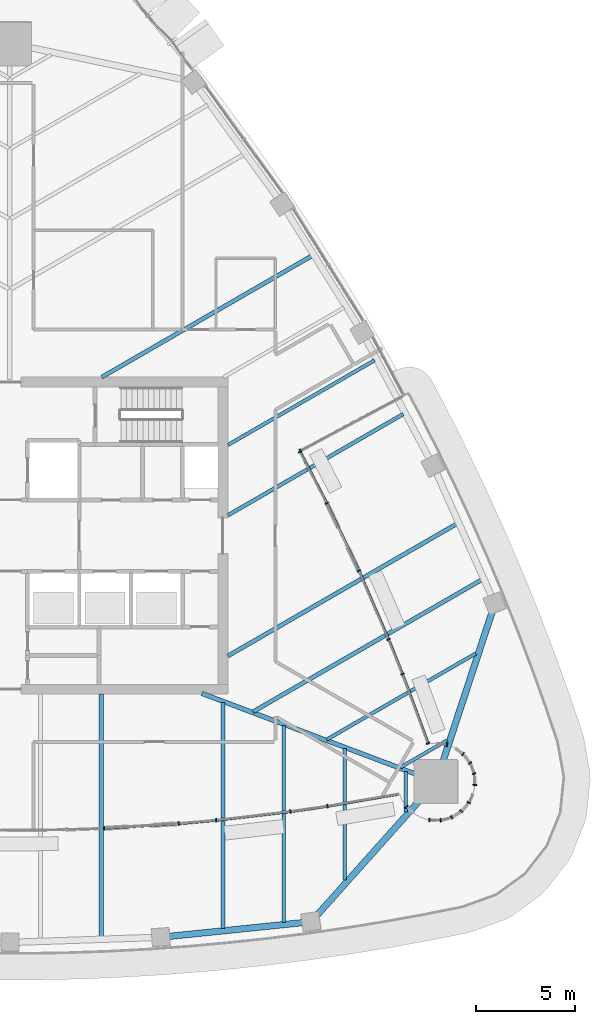
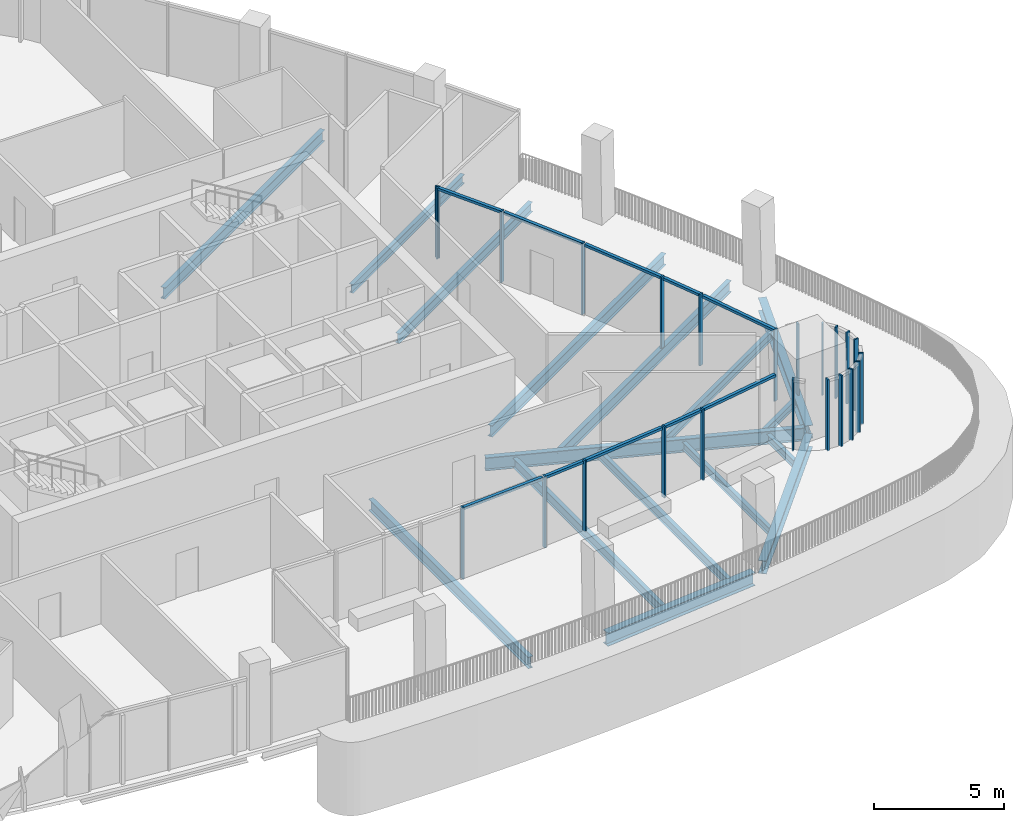
# One storey, part 5 of 21: 33 members, 16 beams, 22 elements without a shape of their own.
"""IFC4 building model written with IfcOpenShell, lengths in metres."""

from ifc_helpers import new_model, si_unit, direction, frame, origin, origin_2d, place, context, subcontext, project, spatial, rectangle, i_section, extrude, material, layer, layer_set, material_profile, profile_set, type_object, element, aggregate, save


model = new_model("IFC4")

# Units and contexts
model_context = context("Model", 3, precision=1e-05, world=origin(), true_north=direction((0.0, 1.0)))
body_context = subcontext(model_context, "Body", "Model", "MODEL_VIEW")
ifc_project = project(units=[si_unit("LENGTHUNIT", "METRE"), si_unit("AREAUNIT", "SQUARE_METRE"), si_unit("VOLUMEUNIT", "CUBIC_METRE"), si_unit("PLANEANGLEUNIT", "RADIAN"), si_unit("MASSUNIT", "GRAM", prefix="KILO")], contexts=[model_context])

# Site, building, storey
site_placement = place(None, origin())
site = spatial("IfcSite", under=ifc_project, at=site_placement, CompositionType="ELEMENT")
building_placement = place(site_placement, origin())
building = spatial("IfcBuilding", under=site, at=building_placement, Name="Sierra Prisma Convention Tower", CompositionType="ELEMENT")
storey_placement = place(building_placement, frame((0.0, 0.0, 259.0)))
storey = spatial("IfcBuildingStorey", under=building, at=storey_placement, Name="L58", CompositionType="ELEMENT", Elevation=259.0)

# Curtain wall, member
ifc_material_1 = material(Name="Aluminium and glass curtain wall", Category="aluminium")
ifc_layer = layer(ifc_material_1, 0.179931640625)
ifc_layer_set = layer_set([ifc_layer], Name="CW-6 Terrace recess curtain wall")
curtain_wall_type = type_object("IfcCurtainWallType", Name="CW-6 Terrace recess curtain wall", PredefinedType="NOTDEFINED", material=ifc_layer_set)
curtain_wall_1_placement = place(storey_placement, origin())
curtain_wall_1 = element("IfcCurtainWall", 1, at=curtain_wall_1_placement, inside=storey, type_object=curtain_wall_type, Name="CW-6 R4 L58", PredefinedType="NOTDEFINED")
ifc_material_2 = material(Name="Aluminium 6063-T6 bronze anodised", Category="aluminium")
ifc_material_profile_1 = material_profile(ifc_material_2, rectangle(XDim=0.179931640625, YDim=0.070068359375, at=origin_2d()), Name="ALU MULLION 70x180")
ifc_profile_set_1 = profile_set([ifc_material_profile_1], Name="Aluminium 6063-T6 bronze anodised")
member_type_1 = type_object("IfcMemberType", Name="CW mullion bronze", PredefinedType="MULLION", material=ifc_profile_set_1)
member_1_placement = place(storey_placement, frame((4.75341796875, -14.76513671875, 0.0), z_axis=(0.0, 0.0, 1.0), x_axis=(-0.062478391496, 0.998046316859, 0.0)))
member_1 = element("IfcMember", 2, at=member_1_placement, type_object=member_type_1, Name="CW-6 mullion R4.1", PredefinedType="MULLION", context=body_context, shape_type="SweptSolid", body=[
    extrude(rectangle(XDim=0.179931640625, YDim=0.070068359375, at=origin_2d()), origin(), (0.0, 0.0, 1.0), 3.340087890625),
])

curtain_wall_2_placement = place(storey_placement, origin())
curtain_wall_2 = element("IfcCurtainWall", 3, at=curtain_wall_2_placement, inside=storey, type_object=curtain_wall_type, Name="CW-6 R5 L58", PredefinedType="NOTDEFINED")
member_2_placement = place(storey_placement, frame((8.521728515625, -14.5283203125, 0.0), z_axis=(0.0, 0.0, 1.0), x_axis=(-0.089194324131, 0.996014243143, 0.0)))
member_2 = element("IfcMember", 4, at=member_2_placement, type_object=member_type_1, Name="CW-6 mullion R5.1", PredefinedType="MULLION", context=body_context, shape_type="SweptSolid", body=[
    extrude(rectangle(XDim=0.179931640625, YDim=0.070068359375, at=origin_2d()), origin(), (0.0, 0.0, 1.0), 3.340087890625),
])

curtain_wall_3_placement = place(storey_placement, origin())
curtain_wall_3 = element("IfcCurtainWall", 5, at=curtain_wall_3_placement, inside=storey, type_object=curtain_wall_type, Name="CW-6 R6 L58", PredefinedType="NOTDEFINED")
member_3_placement = place(storey_placement, frame((10.402099609375, -14.35888671875, 0.0), z_axis=(0.0, 0.0, 1.0), x_axis=(-0.11584622682, 0.993267160301, 0.0)))
member_3 = element("IfcMember", 6, at=member_3_placement, type_object=member_type_1, Name="CW-6 mullion R6.1", PredefinedType="MULLION", context=body_context, shape_type="SweptSolid", body=[
    extrude(rectangle(XDim=0.179931640625, YDim=0.070068359375, at=origin_2d()), origin(), (0.0, 0.0, 1.0), 3.340087890625),
])

curtain_wall_4_placement = place(storey_placement, origin())
curtain_wall_4 = element("IfcCurtainWall", 7, at=curtain_wall_4_placement, inside=storey, type_object=curtain_wall_type, Name="CW-6 R7 L58", PredefinedType="NOTDEFINED")
member_4_placement = place(storey_placement, frame((14.152587890625, -13.92041015625, 0.0), z_axis=(0.0, 0.0, 1.0), x_axis=(-0.142414966917, 0.989807040386, 0.0)))
member_4 = element("IfcMember", 8, at=member_4_placement, type_object=member_type_1, Name="CW-6 mullion R7.1", PredefinedType="MULLION", context=body_context, shape_type="SweptSolid", body=[
    extrude(rectangle(XDim=0.179931640625, YDim=0.070068359375, at=origin_2d()), origin(), (0.0, 0.0, 1.0), 3.340087890625),
])

curtain_wall_5_placement = place(storey_placement, origin())
curtain_wall_5 = element("IfcCurtainWall", 9, at=curtain_wall_5_placement, inside=storey, type_object=curtain_wall_type, Name="CW-6 R8 L58", PredefinedType="NOTDEFINED")
member_5_placement = place(storey_placement, frame((16.02099609375, -13.650634765625, 0.0), z_axis=(0.0, 0.0, 1.0), x_axis=(-0.168753804629, 0.98565823358, 0.0)))
member_5 = element("IfcMember", 10, at=member_5_placement, type_object=member_type_1, Name="CW-6 mullion R8.1", PredefinedType="MULLION", context=body_context, shape_type="SweptSolid", body=[
    extrude(rectangle(XDim=0.179931640625, YDim=0.070068359375, at=origin_2d()), origin(), (0.0, 0.0, 1.0), 3.340087890625),
])

curtain_wall_6_placement = place(storey_placement, origin())
curtain_wall_6 = element("IfcCurtainWall", 11, at=curtain_wall_6_placement, inside=storey, type_object=curtain_wall_type, Name="CW-6 R11 L58", PredefinedType="NOTDEFINED")
member_6_placement = place(storey_placement, frame((20.026123046875, -13.68408203125, 0.0), z_axis=(0.0, 0.0, 1.0), x_axis=(0.671558954847, 0.740951125355, 0.0)))
member_6 = element("IfcMember", 12, at=member_6_placement, type_object=member_type_1, Name="CW-6 mullion R11.1", PredefinedType="MULLION", context=body_context, shape_type="SweptSolid", body=[
    extrude(rectangle(XDim=0.179931640625, YDim=0.070068359375, at=origin_2d()), origin(), (0.0, 0.0, 1.0), 3.340087890625),
])
aggregate(curtain_wall_6, [member_6])

curtain_wall_7_placement = place(storey_placement, origin())
curtain_wall_7 = element("IfcCurtainWall", 13, at=curtain_wall_7_placement, inside=storey, type_object=curtain_wall_type, Name="CW-6 R14 L58", PredefinedType="NOTDEFINED")
member_7_placement = place(storey_placement, frame((21.165283203125, -14.339599609375, 0.0), z_axis=(0.0, 0.0, 1.0), x_axis=(0.049067674327, 0.998795456205, 0.0)))
member_7 = element("IfcMember", 14, at=member_7_placement, type_object=member_type_1, Name="CW-6 mullion R14.1", PredefinedType="MULLION", context=body_context, shape_type="SweptSolid", body=[
    extrude(rectangle(XDim=0.179931640625, YDim=0.070068359375, at=origin_2d()), origin(), (0.0, 0.0, 1.0), 3.340087890625),
])
aggregate(curtain_wall_7, [member_7])

curtain_wall_8_placement = place(storey_placement, origin())
curtain_wall_8 = element("IfcCurtainWall", 15, at=curtain_wall_8_placement, inside=storey, type_object=curtain_wall_type, Name="CW-6 R15 L58", PredefinedType="NOTDEFINED")
member_8_placement = place(storey_placement, frame((21.737548828125, -14.357666015625, 0.0), z_axis=(0.0, 0.0, 1.0), x_axis=(-0.242980179903, 0.970031253195, 0.0)))
member_8 = element("IfcMember", 16, at=member_8_placement, type_object=member_type_1, Name="CW-6 mullion R15.1", PredefinedType="MULLION", context=body_context, shape_type="SweptSolid", body=[
    extrude(rectangle(XDim=0.179931640625, YDim=0.070068359375, at=origin_2d()), origin(), (0.0, 0.0, 1.0), 3.340087890625),
])
aggregate(curtain_wall_8, [member_8])

curtain_wall_9_placement = place(storey_placement, origin())
curtain_wall_9 = element("IfcCurtainWall", 17, at=curtain_wall_9_placement, inside=storey, type_object=curtain_wall_type, Name="CW-6 R16 L58", PredefinedType="NOTDEFINED")
member_9_placement = place(storey_placement, frame((22.290283203125, -14.208740234375, 0.0), z_axis=(0.0, 0.0, 1.0), x_axis=(-0.514102744193, 0.85772861, 0.0)))
member_9 = element("IfcMember", 18, at=member_9_placement, type_object=member_type_1, Name="CW-6 mullion R16.1", PredefinedType="MULLION", context=body_context, shape_type="SweptSolid", body=[
    extrude(rectangle(XDim=0.179931640625, YDim=0.070068359375, at=origin_2d()), origin(), (0.0, 0.0, 1.0), 3.340087890625),
])
aggregate(curtain_wall_9, [member_9])

curtain_wall_10_placement = place(storey_placement, origin())
curtain_wall_10 = element("IfcCurtainWall", 19, at=curtain_wall_10_placement, inside=storey, type_object=curtain_wall_type, Name="CW-6 R17 L58", PredefinedType="NOTDEFINED")
member_10_placement = place(storey_placement, frame((22.77587890625, -13.90576171875, 0.0), z_axis=(0.0, 0.0, 1.0), x_axis=(-0.740951125355, 0.671558954847, 0.0)))
member_10 = element("IfcMember", 20, at=member_10_placement, type_object=member_type_1, Name="CW-6 mullion R17.1", PredefinedType="MULLION", context=body_context, shape_type="SweptSolid", body=[
    extrude(rectangle(XDim=0.179931640625, YDim=0.070068359375, at=origin_2d()), origin(), (0.0, 0.0, 1.0), 3.340087890625),
])
aggregate(curtain_wall_10, [member_10])

curtain_wall_11_placement = place(storey_placement, origin())
curtain_wall_11 = element("IfcCurtainWall", 21, at=curtain_wall_11_placement, inside=storey, type_object=curtain_wall_type, Name="CW-6 R18 L58", PredefinedType="NOTDEFINED")
member_11_placement = place(storey_placement, frame((23.15283203125, -13.474609375, 0.0), z_axis=(0.0, 0.0, 1.0), x_axis=(-0.903989293123, 0.42755509343, 0.0)))
member_11 = element("IfcMember", 22, at=member_11_placement, type_object=member_type_1, Name="CW-6 mullion R18.1", PredefinedType="MULLION", context=body_context, shape_type="SweptSolid", body=[
    extrude(rectangle(XDim=0.179931640625, YDim=0.070068359375, at=origin_2d()), origin(), (0.0, 0.0, 1.0), 3.340087890625),
])
aggregate(curtain_wall_11, [member_11])

curtain_wall_12_placement = place(storey_placement, origin())
curtain_wall_12 = element("IfcCurtainWall", 23, at=curtain_wall_12_placement, inside=storey, type_object=curtain_wall_type, Name="CW-6 R20 L58", PredefinedType="NOTDEFINED")
member_12_placement = place(storey_placement, frame((23.456298828125, -12.57666015625, 0.0), z_axis=(0.0, 0.0, 1.0), x_axis=(-0.998795456205, -0.049067674327, 0.0)))
member_12 = element("IfcMember", 24, at=member_12_placement, type_object=member_type_1, Name="CW-6 mullion R20.1", PredefinedType="MULLION", context=body_context, shape_type="SweptSolid", body=[
    extrude(rectangle(XDim=0.179931640625, YDim=0.070068359375, at=origin_2d()), origin(), (0.0, 0.0, 1.0), 3.340087890625),
])
aggregate(curtain_wall_12, [member_12])

curtain_wall_13_placement = place(storey_placement, origin())
curtain_wall_13 = element("IfcCurtainWall", 25, at=curtain_wall_13_placement, inside=storey, type_object=curtain_wall_type, Name="CW-6 R21 L58", PredefinedType="NOTDEFINED")
member_13_placement = place(storey_placement, frame((23.418212890625, -12.00537109375, 0.0), z_axis=(0.0, 0.0, 1.0), x_axis=(-0.941544065183, -0.336889853392, 0.0)))
member_13 = element("IfcMember", 26, at=member_13_placement, type_object=member_type_1, Name="CW-6 mullion R21.1", PredefinedType="MULLION", context=body_context, shape_type="SweptSolid", body=[
    extrude(rectangle(XDim=0.179931640625, YDim=0.070068359375, at=origin_2d()), origin(), (0.0, 0.0, 1.0), 3.340087890625),
])
aggregate(curtain_wall_13, [member_13])

curtain_wall_14_placement = place(storey_placement, origin())
curtain_wall_14 = element("IfcCurtainWall", 27, at=curtain_wall_14_placement, inside=storey, type_object=curtain_wall_type, Name="CW-6 R22 L58", PredefinedType="NOTDEFINED")
member_14_placement = place(storey_placement, frame((23.215576171875, -11.469970703125, 0.0), z_axis=(0.0, 0.0, 1.0), x_axis=(-0.803207531481, -0.595699304492, 0.0)))
member_14 = element("IfcMember", 28, at=member_14_placement, type_object=member_type_1, Name="CW-6 mullion R22.1", PredefinedType="MULLION", context=body_context, shape_type="SweptSolid", body=[
    extrude(rectangle(XDim=0.179931640625, YDim=0.070068359375, at=origin_2d()), origin(), (0.0, 0.0, 1.0), 3.340087890625),
])
aggregate(curtain_wall_14, [member_14])

curtain_wall_15_placement = place(storey_placement, origin())
curtain_wall_15 = element("IfcCurtainWall", 29, at=curtain_wall_15_placement, inside=storey, type_object=curtain_wall_type, Name="CW-6 R23 L58", PredefinedType="NOTDEFINED")
member_15_placement = place(storey_placement, frame((22.866455078125, -11.01611328125, 0.0), z_axis=(0.0, 0.0, 1.0), x_axis=(-0.595699304492, -0.803207531481, 0.0)))
member_15 = element("IfcMember", 30, at=member_15_placement, type_object=member_type_1, Name="CW-6 mullion R23.1", PredefinedType="MULLION", context=body_context, shape_type="SweptSolid", body=[
    extrude(rectangle(XDim=0.179931640625, YDim=0.070068359375, at=origin_2d()), origin(), (0.0, 0.0, 1.0), 3.340087890625),
])
aggregate(curtain_wall_15, [member_15])

curtain_wall_16_placement = place(storey_placement, origin())
curtain_wall_16 = element("IfcCurtainWall", 31, at=curtain_wall_16_placement, inside=storey, type_object=curtain_wall_type, Name="CW-6 R25 L58", PredefinedType="NOTDEFINED")
member_16_placement = place(storey_placement, frame((22.044921875, -10.543212890625, 0.0), z_axis=(0.0, 0.0, 1.0), x_axis=(-0.146730474455, -0.989176509965, 0.0)))
member_16 = element("IfcMember", 32, at=member_16_placement, type_object=member_type_1, Name="CW-6 mullion R25.1", PredefinedType="MULLION", context=body_context, shape_type="SweptSolid", body=[
    extrude(rectangle(XDim=0.179931640625, YDim=0.070068359375, at=origin_2d()), origin(), (0.0, 0.0, 1.0), 3.340087890625),
])
aggregate(curtain_wall_16, [member_16])

curtain_wall_17_placement = place(storey_placement, origin())
curtain_wall_17 = element("IfcCurtainWall", 33, at=curtain_wall_17_placement, inside=storey, type_object=curtain_wall_type, Name="CW-6 R27 L58", PredefinedType="NOTDEFINED")
member_17_placement = place(storey_placement, frame((21.09814453125, -10.473876953125, 0.0), z_axis=(0.0, 0.0, 1.0), x_axis=(-0.937981332172, -0.346685766215, 0.0)))
member_17 = element("IfcMember", 34, at=member_17_placement, type_object=member_type_1, Name="CW-6 mullion R27.1", PredefinedType="MULLION", context=body_context, shape_type="SweptSolid", body=[
    extrude(rectangle(XDim=0.179931640625, YDim=0.070068359375, at=origin_2d()), origin(), (0.0, 0.0, 1.0), 3.340087890625),
])

curtain_wall_18_placement = place(storey_placement, origin())
curtain_wall_18 = element("IfcCurtainWall", 35, at=curtain_wall_18_placement, inside=storey, type_object=curtain_wall_type, Name="CW-6 R28 L58", PredefinedType="NOTDEFINED")
member_18_placement = place(storey_placement, frame((19.807373046875, -6.98388671875, 0.0), z_axis=(0.0, 0.0, 1.0), x_axis=(-0.928405525278, -0.371568540964, 0.0)))
member_18 = element("IfcMember", 36, at=member_18_placement, type_object=member_type_1, Name="CW-6 mullion R28.1", PredefinedType="MULLION", context=body_context, shape_type="SweptSolid", body=[
    extrude(rectangle(XDim=0.179931640625, YDim=0.070068359375, at=origin_2d()), origin(), (0.0, 0.0, 1.0), 3.340087890625),
])

curtain_wall_19_placement = place(storey_placement, origin())
curtain_wall_19 = element("IfcCurtainWall", 37, at=curtain_wall_19_placement, inside=storey, type_object=curtain_wall_type, Name="CW-6 R29 L58", PredefinedType="NOTDEFINED")
member_19_placement = place(storey_placement, frame((19.10498046875, -5.2314453125, 0.0), z_axis=(0.0, 0.0, 1.0), x_axis=(-0.918117706975, -0.396307804792, 0.0)))
member_19 = element("IfcMember", 38, at=member_19_placement, type_object=member_type_1, Name="CW-6 mullion R29.1", PredefinedType="MULLION", context=body_context, shape_type="SweptSolid", body=[
    extrude(rectangle(XDim=0.179931640625, YDim=0.070068359375, at=origin_2d()), origin(), (0.0, 0.0, 1.0), 3.340087890625),
])

curtain_wall_20_placement = place(storey_placement, origin())
curtain_wall_20 = element("IfcCurtainWall", 39, at=curtain_wall_20_placement, inside=storey, type_object=curtain_wall_type, Name="CW-6 R30 L58", PredefinedType="NOTDEFINED")
member_20_placement = place(storey_placement, frame((17.607421875, -1.765380859375, 0.0), z_axis=(0.0, 0.0, 1.0), x_axis=(-0.903376710285, -0.428847897645, 0.0)))
member_20 = element("IfcMember", 40, at=member_20_placement, type_object=member_type_1, Name="CW-6 mullion R30.1", PredefinedType="MULLION", context=body_context, shape_type="SweptSolid", body=[
    extrude(rectangle(XDim=0.179931640625, YDim=0.070068359375, at=origin_2d()), origin(), (0.0, 0.0, 1.0), 3.340087890625),
])

# Curtain wall, members
curtain_wall_21_placement = place(storey_placement, origin())
curtain_wall_21 = element("IfcCurtainWall", 41, at=curtain_wall_21_placement, inside=storey, type_object=curtain_wall_type, Name="CW-6 R31 L58", PredefinedType="NOTDEFINED")
member_21_placement = place(storey_placement, frame((15.987060546875, 1.64501953125, 0.0), z_axis=(0.0, 0.0, 1.0), x_axis=(-0.887482865227, -0.46084071427, 0.0)))
member_21 = element("IfcMember", 42, at=member_21_placement, type_object=member_type_1, Name="CW-6 mullion R31.1", PredefinedType="MULLION", context=body_context, shape_type="SweptSolid", body=[
    extrude(rectangle(XDim=0.179931640625, YDim=0.070068359375, at=origin_2d()), origin(), (0.0, 0.0, 1.0), 3.340087890625),
])
member_22_placement = place(storey_placement, frame((14.638916015625, 4.2412109375, 0.0), z_axis=(0.0, 0.0, 1.0), x_axis=(-0.887482865227, -0.46084071427, 0.0)))
member_22 = element("IfcMember", 43, at=member_22_placement, type_object=member_type_1, Name="CW-6 mullion R31.2", PredefinedType="MULLION", context=body_context, shape_type="SweptSolid", body=[
    extrude(rectangle(XDim=0.179931640625, YDim=0.070068359375, at=origin_2d()), origin(), (0.0, 0.0, 1.0), 3.340087890625),
])

# Curtain wall, member
curtain_wall_22_placement = place(storey_placement, origin())
curtain_wall_22 = element("IfcCurtainWall", 44, at=curtain_wall_22_placement, inside=storey, type_object=curtain_wall_type, Name="CW-6 RT2 L58", PredefinedType="NOTDEFINED")
member_23_placement = place(storey_placement, frame((14.65380859375, 4.28857421875, 0.0), z_axis=(0.0, 0.0, 1.0), x_axis=(-0.470062969616, 0.882632882118, 0.0)))
member_23 = element("IfcMember", 45, at=member_23_placement, type_object=member_type_1, Name="CW-6 mullion RT2.1", PredefinedType="MULLION", context=body_context, shape_type="SweptSolid", body=[
    extrude(rectangle(XDim=0.179931640625, YDim=0.070068359375, at=origin_2d()), origin(), (0.0, 0.0, 1.0), 3.340087890625),
])
aggregate(curtain_wall_22, [member_23])

# Member
ifc_material_3 = material(Name="Aluminium 6063-T6 bronze anodised", Category="aluminium")
ifc_material_profile_2 = material_profile(ifc_material_3, rectangle(XDim=0.139892578125, YDim=0.1201171875, at=origin_2d()), Name="ALU TRANSOM 120x140")
ifc_profile_set_2 = profile_set([ifc_material_profile_2], Name="Aluminium 6063-T6 bronze anodised")
member_type_2 = type_object("IfcMemberType", Name="CW transom bronze", PredefinedType="USERDEFINED", material=ifc_profile_set_2)
member_24_placement = place(storey_placement, frame((4.788330078125, -14.762939453125, 3.280029296875), z_axis=(0.998043946631, 0.062516242637, 0.0), x_axis=(-0.062516242637, 0.998043946631, 0.0)))
member_24 = element("IfcMember", 46, at=member_24_placement, type_object=member_type_2, Name="CW-6 transom R4.1", ObjectType="TRANSOM", PredefinedType="USERDEFINED", context=body_context, shape_type="SweptSolid", body=[
    extrude(rectangle(XDim=0.139892578125, YDim=0.1201171875, at=origin_2d()), origin(), (0.0, 0.0, 1.0), 3.6357421875),
])

aggregate(curtain_wall_1, [member_1, member_24])

member_25_placement = place(storey_placement, frame((8.556640625, -14.525146484375, 3.280029296875), z_axis=(0.996009153953, 0.089251135798, 0.0), x_axis=(-0.089251135798, 0.996009153953, 0.0)))
member_25 = element("IfcMember", 47, at=member_25_placement, type_object=member_type_2, Name="CW-6 transom R5.1", ObjectType="TRANSOM", PredefinedType="USERDEFINED", context=body_context, shape_type="SweptSolid", body=[
    extrude(rectangle(XDim=0.139892578125, YDim=0.1201171875, at=origin_2d()), origin(), (0.0, 0.0, 1.0), 1.748046875),
])

aggregate(curtain_wall_2, [member_2, member_25])

member_26_placement = place(storey_placement, frame((10.43701171875, -14.354736328125, 3.280029296875), z_axis=(0.993268805728, 0.115832118029, 0.0), x_axis=(-0.115832118029, 0.993268805728, 0.0)))
member_26 = element("IfcMember", 48, at=member_26_placement, type_object=member_type_2, Name="CW-6 transom R6.1", ObjectType="TRANSOM", PredefinedType="USERDEFINED", context=body_context, shape_type="SweptSolid", body=[
    extrude(rectangle(XDim=0.139892578125, YDim=0.1201171875, at=origin_2d()), origin(), (0.0, 0.0, 1.0), 3.6357421875),
])

aggregate(curtain_wall_3, [member_3, member_26])

member_27_placement = place(storey_placement, frame((14.18701171875, -13.91552734375, 3.280029296875), z_axis=(0.989800907081, 0.142457587868, 0.0), x_axis=(-0.142457587868, 0.989800907081, 0.0)))
member_27 = element("IfcMember", 49, at=member_27_placement, type_object=member_type_2, Name="CW-6 transom R7.1", ObjectType="TRANSOM", PredefinedType="USERDEFINED", context=body_context, shape_type="SweptSolid", body=[
    extrude(rectangle(XDim=0.139892578125, YDim=0.1201171875, at=origin_2d()), origin(), (0.0, 0.0, 1.0), 1.748046875),
])

aggregate(curtain_wall_4, [member_4, member_27])

member_28_placement = place(storey_placement, frame((16.0556640625, -13.644775390625, 3.280029296875), z_axis=(0.985656611521, 0.168763278482, 0.0), x_axis=(-0.168763278482, 0.985656611521, 0.0)))
member_28 = element("IfcMember", 50, at=member_28_placement, type_object=member_type_2, Name="CW-6 transom R8.1", ObjectType="TRANSOM", PredefinedType="USERDEFINED", context=body_context, shape_type="SweptSolid", body=[
    extrude(rectangle(XDim=0.139892578125, YDim=0.1201171875, at=origin_2d()), origin(), (0.0, 0.0, 1.0), 3.581787109375),
])

aggregate(curtain_wall_5, [member_5, member_28])

member_29_placement = place(storey_placement, frame((21.086181640625, -10.441162109375, 3.280029296875), z_axis=(-0.34671924664, 0.937968956847, 0.0), x_axis=(-0.937968956847, -0.34671924664, 0.0)))
member_29 = element("IfcMember", 51, at=member_29_placement, type_object=member_type_2, Name="CW-6 transom R27.1", ObjectType="TRANSOM", PredefinedType="USERDEFINED", context=body_context, shape_type="SweptSolid", body=[
    extrude(rectangle(XDim=0.139892578125, YDim=0.1201171875, at=origin_2d()), origin(), (0.0, 0.0, 1.0), 3.581298828125),
])

aggregate(curtain_wall_17, [member_17, member_29])

member_30_placement = place(storey_placement, frame((19.794189453125, -6.951416015625, 3.280029296875), z_axis=(-0.371535163105, 0.928418883143, 0.0), x_axis=(-0.928418883143, -0.371535163105, 0.0)))
member_30 = element("IfcMember", 52, at=member_30_placement, type_object=member_type_2, Name="CW-6 transom R28.1", ObjectType="TRANSOM", PredefinedType="USERDEFINED", context=body_context, shape_type="SweptSolid", body=[
    extrude(rectangle(XDim=0.139892578125, YDim=0.1201171875, at=origin_2d()), origin(), (0.0, 0.0, 1.0), 1.747802734375),
])

aggregate(curtain_wall_18, [member_18, member_30])

member_31_placement = place(storey_placement, frame((19.091064453125, -5.199462890625, 3.280029296875), z_axis=(-0.396308673541, 0.918117331977, 0.0), x_axis=(-0.918117331977, -0.396308673541, 0.0)))
member_31 = element("IfcMember", 53, at=member_31_placement, type_object=member_type_2, Name="CW-6 transom R29.1", ObjectType="TRANSOM", PredefinedType="USERDEFINED", context=body_context, shape_type="SweptSolid", body=[
    extrude(rectangle(XDim=0.139892578125, YDim=0.1201171875, at=origin_2d()), origin(), (0.0, 0.0, 1.0), 3.6357421875),
])

aggregate(curtain_wall_19, [member_19, member_31])

member_32_placement = place(storey_placement, frame((17.59228515625, -1.733642578125, 3.280029296875), z_axis=(-0.428828055002, 0.90338612965, 0.0), x_axis=(-0.90338612965, -0.428828055002, 0.0)))
member_32 = element("IfcMember", 54, at=member_32_placement, type_object=member_type_2, Name="CW-6 transom R30.1", ObjectType="TRANSOM", PredefinedType="USERDEFINED", context=body_context, shape_type="SweptSolid", body=[
    extrude(rectangle(XDim=0.139892578125, YDim=0.1201171875, at=origin_2d()), origin(), (0.0, 0.0, 1.0), 3.6357421875),
])

aggregate(curtain_wall_20, [member_20, member_32])

member_33_placement = place(storey_placement, frame((15.970947265625, 1.676025390625, 3.280029296875), z_axis=(-0.460876142304, 0.887464467714, 0.0), x_axis=(-0.887464467714, -0.460876142304, 0.0)))
member_33 = element("IfcMember", 55, at=member_33_placement, type_object=member_type_2, Name="CW-6 transom R31.1", ObjectType="TRANSOM", PredefinedType="USERDEFINED", context=body_context, shape_type="SweptSolid", body=[
    extrude(rectangle(XDim=0.139892578125, YDim=0.1201171875, at=origin_2d()), origin(), (0.0, 0.0, 1.0), 2.855224609375),
])

aggregate(curtain_wall_21, [member_21, member_22, member_33])

# Beams
ifc_material_4 = material(Name="Steel ASTM A992 Gr 50", Category="steel")
ifc_material_profile_3 = material_profile(ifc_material_4, i_section(OverallWidth=0.172119140625, OverallDepth=0.35791015625, WebThickness=0.0078125, FlangeThickness=0.01318359375, at=origin_2d()), Name="W360x57")
ifc_profile_set_3 = profile_set([ifc_material_profile_3], Name="Steel ASTM A992 Gr 50")
beam_type_1 = type_object("IfcBeamType", Name="Floor joist W360x57", PredefinedType="JOIST", material=ifc_profile_set_3)
beam_1_placement = place(storey_placement, frame((16.902099609375, -17.38330078125, -0.47900390625), z_axis=(0.0, 1.0, 0.0), x_axis=(-1.0, 0.0, 0.0)))
element("IfcBeam", 56, at=beam_1_placement, inside=storey, type_object=beam_type_1, Name="Floor joist L58 S13", PredefinedType="JOIST", context=body_context, shape_type="SweptSolid", body=[
    extrude(i_section(OverallWidth=0.172119140625, OverallDepth=0.35791015625, WebThickness=0.0078125, FlangeThickness=0.01318359375, at=origin_2d()), origin(), (0.0, 0.0, 1.0), 6.65380859375),
])
beam_2_placement = place(storey_placement, frame((19.975341796875, -13.945068359375, -0.47900390625), z_axis=(0.0, 1.0, 0.0), x_axis=(-1.0, 0.0, 0.0)))
element("IfcBeam", 57, at=beam_2_placement, inside=storey, type_object=beam_type_1, Name="Floor joist L58 S14", PredefinedType="JOIST", context=body_context, shape_type="SweptSolid", body=[
    extrude(i_section(OverallWidth=0.172119140625, OverallDepth=0.35791015625, WebThickness=0.0078125, FlangeThickness=0.01318359375, at=origin_2d()), origin(), (0.0, 0.0, 1.0), 2.055908203125),
])
beam_3_placement = place(storey_placement, frame((22.064453125, -10.326416015625, -0.47900390625), z_axis=(-0.866028909405, -0.499993928037, 0.0), x_axis=(0.499993928037, -0.866028909405, 0.0)))
element("IfcBeam", 58, at=beam_3_placement, inside=storey, type_object=beam_type_1, Name="Floor joist L58 NE01", PredefinedType="JOIST", context=body_context, shape_type="SweptSolid", body=[
    extrude(i_section(OverallWidth=0.172119140625, OverallDepth=0.35791015625, WebThickness=0.0078125, FlangeThickness=0.01318359375, at=origin_2d()), origin(), (0.0, 0.0, 1.0), 2.724609375),
])
ifc_material_5 = material(Name="Steel ASTM A992 Gr 50", Category="steel")
ifc_material_profile_4 = material_profile(ifc_material_5, i_section(OverallWidth=0.177978515625, OverallDepth=0.406982421875, WebThickness=0.0078125, FlangeThickness=0.0126953125, at=origin_2d()), Name="W410x60")
ifc_profile_set_4 = profile_set([ifc_material_profile_4], Name="Steel ASTM A992 Gr 50")
beam_type_2 = type_object("IfcBeamType", Name="Floor joist W410x60", PredefinedType="JOIST", material=ifc_profile_set_4)
beam_4_placement = place(storey_placement, frame((13.8291015625, -19.508544921875, -0.50341796875), z_axis=(0.0, 1.0, 0.0), x_axis=(-1.0, 0.0, 0.0)))
element("IfcBeam", 59, at=beam_4_placement, inside=storey, type_object=beam_type_2, Name="Floor joist L58 S12", PredefinedType="JOIST", context=body_context, shape_type="SweptSolid", body=[
    extrude(i_section(OverallWidth=0.177978515625, OverallDepth=0.406982421875, WebThickness=0.0078125, FlangeThickness=0.0126953125, at=origin_2d()), origin(), (0.0, 0.0, 1.0), 9.93896484375),
])
beam_5_placement = place(storey_placement, frame((23.50537109375, -5.946044921875, -0.50341796875), z_axis=(-0.866020712172, -0.500008126024, 0.0), x_axis=(0.500008126024, -0.866020712172, 0.0)))
element("IfcBeam", 60, at=beam_5_placement, inside=storey, type_object=beam_type_2, Name="Floor joist L58 NE02", PredefinedType="JOIST", context=body_context, shape_type="SweptSolid", body=[
    extrude(i_section(OverallWidth=0.177978515625, OverallDepth=0.406982421875, WebThickness=0.0078125, FlangeThickness=0.0126953125, at=origin_2d()), origin(), (0.0, 0.0, 1.0), 8.679931640625),
])
beam_6_placement = place(storey_placement, frame((18.3984375, 8.84814453125, -0.353515625), z_axis=(-0.866025682925, -0.499999516514, 0.0), x_axis=(0.499999516514, -0.866025682925, 0.0)))
element("IfcBeam", 61, at=beam_6_placement, inside=storey, type_object=beam_type_2, Name="Floor joist L58 NE07", PredefinedType="JOIST", context=body_context, shape_type="SweptSolid", body=[
    extrude(i_section(OverallWidth=0.177978515625, OverallDepth=0.406982421875, WebThickness=0.0078125, FlangeThickness=0.0126953125, at=origin_2d()), origin(), (0.0, 0.0, 1.0), 8.54296875),
])
ifc_material_6 = material(Name="Steel ASTM A992 Gr 50", Category="steel")
ifc_material_profile_5 = material_profile(ifc_material_6, i_section(OverallWidth=0.18994140625, OverallDepth=0.45703125, WebThickness=0.009033203125, FlangeThickness=0.014404296875, at=origin_2d()), Name="W460x74")
ifc_profile_set_5 = profile_set([ifc_material_profile_5], Name="Steel ASTM A992 Gr 50")
beam_type_3 = type_object("IfcBeamType", Name="Floor joist W460x74", PredefinedType="JOIST", material=ifc_profile_set_5)
beam_7_placement = place(storey_placement, frame((10.755859375, -19.8251953125, -0.528564453125), z_axis=(0.0, 1.0, 0.0), x_axis=(-1.0, 0.0, 0.0)))
element("IfcBeam", 62, at=beam_7_placement, inside=storey, type_object=beam_type_3, Name="Floor joist L58 S11", PredefinedType="JOIST", context=body_context, shape_type="SweptSolid", body=[
    extrude(i_section(OverallWidth=0.18994140625, OverallDepth=0.45703125, WebThickness=0.009033203125, FlangeThickness=0.014404296875, at=origin_2d()), origin(), (0.0, 0.0, 1.0), 11.415283203125),
])
beam_8_placement = place(storey_placement, frame((19.843994140625, 6.134033203125, -0.528564453125), z_axis=(-0.866030719518, -0.499990792767, 0.0), x_axis=(0.499990792767, -0.866030719518, 0.0)))
element("IfcBeam", 63, at=beam_8_placement, inside=storey, type_object=beam_type_3, Name="Floor joist L58 NE06", PredefinedType="JOIST", context=body_context, shape_type="SweptSolid", body=[
    extrude(i_section(OverallWidth=0.18994140625, OverallDepth=0.45703125, WebThickness=0.009033203125, FlangeThickness=0.014404296875, at=origin_2d()), origin(), (0.0, 0.0, 1.0), 10.212158203125),
])
ifc_material_7 = material(Name="Steel ASTM A992 Gr 50", Category="steel")
ifc_material_profile_6 = material_profile(ifc_material_7, i_section(OverallWidth=0.208984375, OverallDepth=0.532958984375, WebThickness=0.01025390625, FlangeThickness=0.015625, at=origin_2d()), Name="W530x92")
ifc_profile_set_6 = profile_set([ifc_material_profile_6], Name="Steel ASTM A992 Gr 50")
beam_type_4 = type_object("IfcBeamType", Name="Floor joist W530x92", PredefinedType="JOIST", material=ifc_profile_set_6)
beam_9_placement = place(storey_placement, frame((4.609619140625, -20.25244140625, -0.56640625), z_axis=(0.0, 1.0, 0.0), x_axis=(-1.0, 0.0, 0.0)))
element("IfcBeam", 64, at=beam_9_placement, inside=storey, type_object=beam_type_4, Name="Floor joist L58 S09", PredefinedType="JOIST", context=body_context, shape_type="SweptSolid", body=[
    extrude(i_section(OverallWidth=0.208984375, OverallDepth=0.532958984375, WebThickness=0.01025390625, FlangeThickness=0.015625, at=origin_2d()), origin(), (0.0, 0.0, 1.0), 12.25244140625),
])
beam_10_placement = place(storey_placement, frame((23.809326171875, -2.22216796875, -0.56640625), z_axis=(-0.866025374993, -0.500000049868, 0.0), x_axis=(0.500000049868, -0.866025374993, 0.0)))
element("IfcBeam", 65, at=beam_10_placement, inside=storey, type_object=beam_type_4, Name="Floor joist L58 NE03", PredefinedType="JOIST", context=body_context, shape_type="SweptSolid", body=[
    extrude(i_section(OverallWidth=0.208984375, OverallDepth=0.532958984375, WebThickness=0.01025390625, FlangeThickness=0.015625, at=origin_2d()), origin(), (0.0, 0.0, 1.0), 13.32275390625),
])
beam_11_placement = place(storey_placement, frame((22.547119140625, 0.59765625, -0.56640625), z_axis=(-0.86602489383, -0.500000883266, 0.0), x_axis=(0.500000883266, -0.86602489383, 0.0)))
element("IfcBeam", 66, at=beam_11_placement, inside=storey, type_object=beam_type_4, Name="Floor joist L58 NE04", PredefinedType="JOIST", context=body_context, shape_type="SweptSolid", body=[
    extrude(i_section(OverallWidth=0.208984375, OverallDepth=0.532958984375, WebThickness=0.01025390625, FlangeThickness=0.015625, at=origin_2d()), origin(), (0.0, 0.0, 1.0), 13.33349609375),
])
beam_12_placement = place(storey_placement, frame((15.234130859375, 14.1181640625, -0.41650390625), z_axis=(-0.866029427854, -0.499993030042, 0.0), x_axis=(0.499993030042, -0.866029427854, 0.0)))
element("IfcBeam", 67, at=beam_12_placement, inside=storey, type_object=beam_type_4, Name="Floor joist L58 NE09", PredefinedType="JOIST", context=body_context, shape_type="SweptSolid", body=[
    extrude(i_section(OverallWidth=0.208984375, OverallDepth=0.532958984375, WebThickness=0.01025390625, FlangeThickness=0.015625, at=origin_2d()), origin(), (0.0, 0.0, 1.0), 12.236572265625),
])
ifc_material_8 = material(Name="Steel ASTM A992 Gr 50", Category="steel")
ifc_material_profile_7 = material_profile(ifc_material_8, i_section(OverallWidth=0.22998046875, OverallDepth=0.616943359375, WebThickness=0.01318359375, FlangeThickness=0.022216796875, at=origin_2d()), Name="W610x140")
ifc_profile_set_7 = profile_set([ifc_material_profile_7], Name="Steel ASTM A992 Gr 50")
beam_type_5 = type_object("IfcBeamType", Name="Radial girder W610x140", PredefinedType="BEAM", material=ifc_profile_set_7)
beam_13_placement = place(storey_placement, frame((21.291748046875, -12.3369140625, -0.45849609375), z_axis=(-0.935587732593, 0.35309431406, 0.0), x_axis=(-0.35309431406, -0.935587732593, 0.0)))
element("IfcBeam", 68, at=beam_13_placement, inside=storey, type_object=beam_type_5, Name="Radial girder L58 SE", PredefinedType="BEAM", context=body_context, shape_type="SweptSolid", body=[
    extrude(i_section(OverallWidth=0.22998046875, OverallDepth=0.616943359375, WebThickness=0.01318359375, FlangeThickness=0.022216796875, at=origin_2d()), origin(), (0.0, 0.0, 1.0), 12.40283203125),
])
ifc_material_9 = material(Name="Steel ASTM A992 Gr 50", Category="steel")
ifc_material_profile_8 = material_profile(ifc_material_9, i_section(OverallWidth=0.324951171875, OverallDepth=0.615966796875, WebThickness=0.013916015625, FlangeThickness=0.021484375, at=origin_2d()), Name="W610x174")
ifc_profile_set_8 = profile_set([ifc_material_profile_8], Name="Steel ASTM A992 Gr 50")
beam_type_6 = type_object("IfcBeamType", Name="Spandrel beam W610x174", PredefinedType="BEAM", material=ifc_profile_set_8)
beam_14_placement = place(storey_placement, frame((7.94677734375, -20.22802734375, -0.60791015625), z_axis=(0.994729843523, 0.10253067056, 0.0), x_axis=(-0.10253067056, 0.994729843523, 0.0)))
element("IfcBeam", 69, at=beam_14_placement, inside=storey, type_object=beam_type_6, Name="Spandrel L58-05", PredefinedType="BEAM", context=body_context, shape_type="SweptSolid", body=[
    extrude(i_section(OverallWidth=0.324951171875, OverallDepth=0.615966796875, WebThickness=0.013916015625, FlangeThickness=0.021484375, at=origin_2d()), origin(), (0.0, 0.0, 1.0), 6.96240234375),
])
beam_15_placement = place(storey_placement, frame((15.5146484375, -19.129638671875, -0.60791015625), z_axis=(0.666406964769, 0.745588195526, 0.0), x_axis=(-0.745588195526, 0.666406964769, 0.0)))
element("IfcBeam", 70, at=beam_15_placement, inside=storey, type_object=beam_type_6, Name="Spandrel L58-06", PredefinedType="BEAM", context=body_context, shape_type="SweptSolid", body=[
    extrude(i_section(OverallWidth=0.324951171875, OverallDepth=0.615966796875, WebThickness=0.013916015625, FlangeThickness=0.021484375, at=origin_2d()), origin(), (0.0, 0.0, 1.0), 8.7041015625),
])
beam_16_placement = place(storey_placement, frame((21.584228515625, -12.199951171875, -0.60791015625), z_axis=(0.312482862305, 0.949923397315, 0.0), x_axis=(-0.949923397315, 0.312482862305, 0.0)))
element("IfcBeam", 71, at=beam_16_placement, inside=storey, type_object=beam_type_6, Name="Spandrel L58-07", PredefinedType="BEAM", context=body_context, shape_type="SweptSolid", body=[
    extrude(i_section(OverallWidth=0.324951171875, OverallDepth=0.615966796875, WebThickness=0.013916015625, FlangeThickness=0.021484375, at=origin_2d()), origin(), (0.0, 0.0, 1.0), 8.767578125),
])

save(model, "model.ifc")
